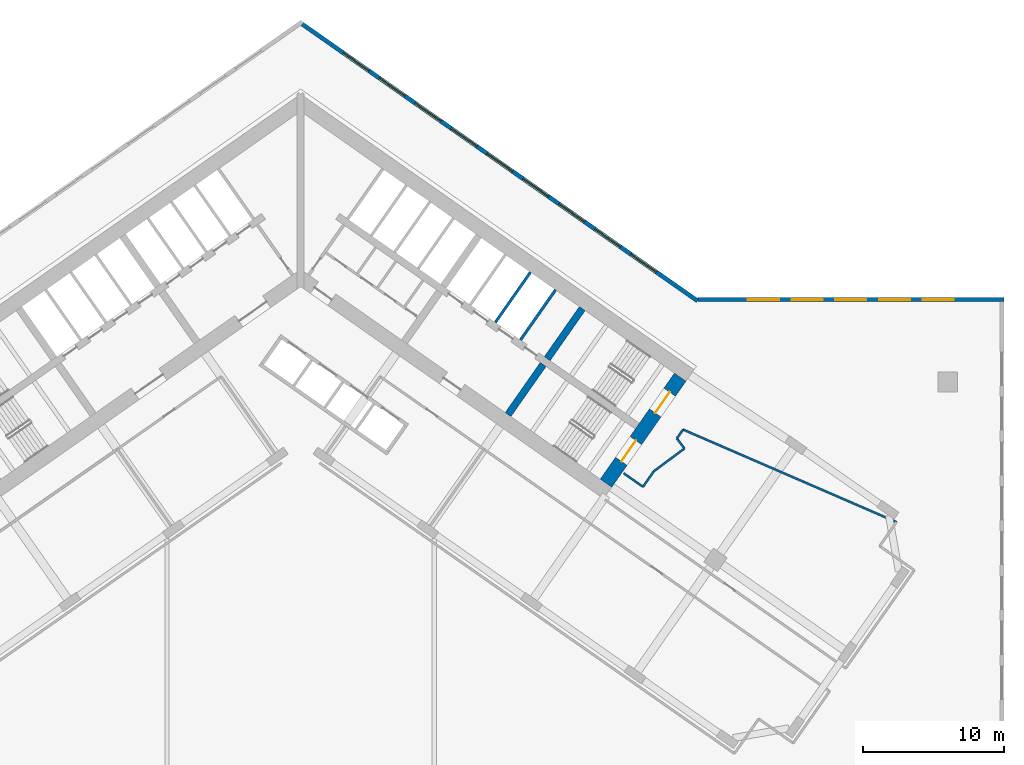
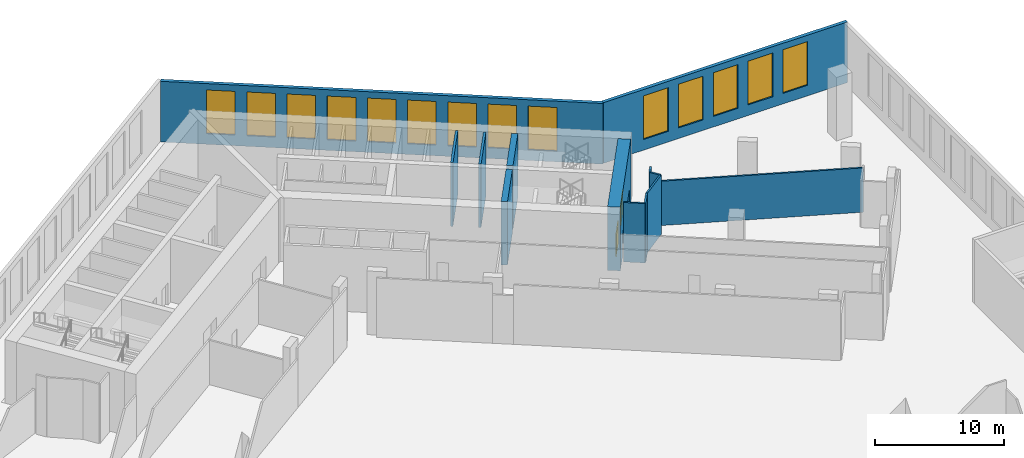
# One storey, part 12 of 25: 14 windows, 13 walls, 2 doors, 16 openings.
"""IFC4 building model written with IfcOpenShell, lengths in metres."""

from ifc_helpers import new_model, si_unit, direction, frame, frame_2d, origin, place, context, subcontext, project, spatial, polyline, rectangle, outline, extrude, material, layer, layer_set, type_object, element, fill, save


model = new_model("IFC4")

# Units and contexts
model_context = context("Model", 3, precision=1e-05, world=origin(), true_north=direction((0.0, 1.0)))
body_context = subcontext(model_context, "Body", "Model", "MODEL_VIEW")
ifc_project = project(units=[si_unit("LENGTHUNIT", "METRE"), si_unit("AREAUNIT", "SQUARE_METRE"), si_unit("VOLUMEUNIT", "CUBIC_METRE"), si_unit("PLANEANGLEUNIT", "RADIAN"), si_unit("MASSUNIT", "GRAM", prefix="KILO")], contexts=[model_context])

# Site, building, storey
site_placement = place(None, origin())
site = spatial("IfcSite", under=ifc_project, at=site_placement, CompositionType="ELEMENT")
building_placement = place(site_placement, origin())
building = spatial("IfcBuilding", under=site, at=building_placement, Name="Tel Ilan Convention Tower", CompositionType="ELEMENT")
storey_placement = place(building_placement, frame((0.0, 0.0, 26.0)))
storey = spatial("IfcBuildingStorey", under=building, at=storey_placement, Name="L03", CompositionType="ELEMENT", Elevation=26.0)

# Wall, openings, doors
ifc_material_1 = material(Name="Concrete C60/75", Category="concrete")
ifc_layer_1 = layer(ifc_material_1, 1.0)
ifc_layer_set_1 = layer_set([ifc_layer_1], Name="Core Shear Wall 1000 mm C60/75")
wall_type_1 = type_object("IfcWallType", Name="Core Shear Wall 1000 mm C60/75", PredefinedType="SHEAR", material=ifc_layer_set_1)
wall_1_placement = place(storey_placement, frame((21.70751953125, -15.19970703125, 0.0), z_axis=(0.0, 0.0, 1.0), x_axis=(0.573576324356, 0.819152122709, 0.0)))
wall_1 = element("IfcWall", 1, at=wall_1_placement, inside=storey, type_object=wall_type_1, Name="L03 core wall E-end", PredefinedType="SHEAR", context=body_context, shape_type="SweptSolid", body=[
    extrude(outline(polyline([(9.199951171875, 0.5), (0.0, 0.5), (0.0, -0.5), (9.199951171875, -0.5), (9.199951171875, 0.5)])), origin(), (0.0, 0.0, 1.0), 6.0),
])
opening_1_placement = place(wall_1_placement, frame((6.10009765625, 0.0, 0.0)))
opening_1 = element("IfcOpeningElement", 2, at=opening_1_placement, cuts=wall_1, Name="Opening SD0603", PredefinedType="OPENING", context=body_context, shape_type="SweptSolid", body=[
    extrude(rectangle(XDim=1.800048828125, YDim=2.10009765625, at=frame_2d((0.89990234375, 1.050048828125))), frame((0.0, 0.510009765625, 0.0), z_axis=(0.0, -1.0, 0.0), x_axis=(1.0, 0.0, 0.0)), (0.0, 0.0, 1.0), 1.02001953125),
])
opening_2_placement = place(wall_1_placement, frame((1.89990234375, 0.0, 0.0)))
opening_2 = element("IfcOpeningElement", 3, at=opening_2_placement, cuts=wall_1, Name="Opening SD0604", PredefinedType="OPENING", context=body_context, shape_type="SweptSolid", body=[
    extrude(rectangle(XDim=1.800048828125, YDim=2.10009765625, at=frame_2d((0.89990234375, 1.050048828125))), frame((0.0, 0.510009765625, 0.0), z_axis=(0.0, -1.0, 0.0), x_axis=(1.0, 0.0, 0.0)), (0.0, 0.0, 1.0), 1.02001953125),
])
ifc_material_2 = material(Name="Galvanised Steel Door Leaf", Category="steel")
door_type = type_object("IfcDoorType", Name="Stair Fire Door 1800 x 2100 FD60S", OperationType="NOTDEFINED", PredefinedType="DOOR", material=ifc_material_2)
door_1_placement = place(opening_1_placement, origin())
door_1 = element("IfcDoor", 4, at=door_1_placement, inside=storey, type_object=door_type, Name="Stair S3 door", OperationType="DOUBLE_DOOR_SINGLE_SWING", OverallHeight=2.10009765625, OverallWidth=1.800048828125, PredefinedType="DOOR", context=body_context, shape_type="SweptSolid", body=[
    extrude(rectangle(XDim=1.800048828125, YDim=2.10009765625, at=frame_2d((0.89990234375, 1.050048828125))), frame((0.0, 0.02490234375, 0.0), z_axis=(0.0, -1.0, 0.0), x_axis=(1.0, 0.0, 0.0)), (0.0, 0.0, 1.0), 0.050048828125),
])
fill(opening_1, door_1)
door_2_placement = place(opening_2_placement, origin())
door_2 = element("IfcDoor", 5, at=door_2_placement, inside=storey, type_object=door_type, Name="Stair S4 door", OperationType="DOUBLE_DOOR_SINGLE_SWING", OverallHeight=2.10009765625, OverallWidth=1.800048828125, PredefinedType="DOOR", context=body_context, shape_type="SweptSolid", body=[
    extrude(rectangle(XDim=1.800048828125, YDim=2.10009765625, at=frame_2d((0.89990234375, 1.050048828125))), frame((0.0, 0.02490234375, 0.0), z_axis=(0.0, -1.0, 0.0), x_axis=(1.0, 0.0, 0.0)), (0.0, 0.0, 1.0), 0.050048828125),
])
fill(opening_2, door_2)

# Walls
ifc_material_3 = material(Name="Concrete C60/75", Category="concrete")
ifc_layer_2 = layer(ifc_material_3, 0.5)
ifc_layer_set_2 = layer_set([ifc_layer_2], Name="Core Shear Wall 500 mm C60/75")
wall_type_2 = type_object("IfcWallType", Name="Core Shear Wall 500 mm C60/75", PredefinedType="SHEAR", material=ifc_layer_set_2)
wall_2_placement = place(storey_placement, frame((14.74462890625, -10.324462890625, 0.0), z_axis=(0.0, 0.0, 1.0), x_axis=(0.57356780395, 0.819158088694, 0.0)))
element("IfcWall", 6, at=wall_2_placement, inside=storey, type_object=wall_type_2, Name="L03 core wall E-cross2-1", PredefinedType="SHEAR", context=body_context, shape_type="SweptSolid", body=[
    extrude(outline(polyline([(0.0, 0.25), (0.0, -0.25), (4.35009765625, -0.250244140625), (4.35009765625, 0.25), (0.0, 0.25)])), origin(), (0.0, 0.0, 1.0), 6.0),
])
wall_3_placement = place(storey_placement, frame((17.526611328125, -6.3515625, 0.0), z_axis=(0.0, 0.0, 1.0), x_axis=(0.573530143085, 0.819184457233, 0.0)))
element("IfcWall", 7, at=wall_3_placement, inside=storey, type_object=wall_type_2, Name="L03 core wall E-cross2-2", PredefinedType="SHEAR", context=body_context, shape_type="SweptSolid", body=[
    extrude(outline(polyline([(4.35009765625, -0.250244140625), (4.35009765625, 0.249755859375), (0.0, 0.25), (0.0, -0.25), (4.35009765625, -0.250244140625)])), origin(), (0.0, 0.0, 1.0), 6.0),
])
ifc_material_4 = material(Name="Plasterboard on Steel Studs", Category="steel")
ifc_layer_3 = layer(ifc_material_4, 0.14990234375)
ifc_layer_set_3 = layer_set([ifc_layer_3], Name="Fire-rated Partition 150 EI 60")
wall_type_3 = type_object("IfcWallType", Name="Fire-rated Partition 150 EI 60", PredefinedType="PARTITIONING", material=ifc_layer_set_3)
wall_4_placement = place(storey_placement, frame((26.74609375, -12.013671875, 0.0), z_axis=(0.0, 0.0, 1.0), x_axis=(0.573761975376, 0.819022097146, 0.0)))
element("IfcWall", 8, at=wall_4_placement, inside=storey, type_object=wall_type_3, Name="Partition 011", PredefinedType="PARTITIONING", context=body_context, shape_type="SweptSolid", body=[
    extrude(rectangle(XDim=0.765380859375, YDim=0.14990234375, at=frame_2d((0.3828125, 0.0))), origin(), (0.0, 0.0, 1.0), 5.60009765625),
])
wall_5_placement = place(storey_placement, frame((27.185302734375, -11.38671875, 0.0), z_axis=(0.0, 0.0, 1.0), x_axis=(0.917531384635, -0.397663372979, 0.0)))
element("IfcWall", 9, at=wall_5_placement, inside=storey, type_object=wall_type_3, Name="Partition 012", PredefinedType="PARTITIONING", context=body_context, shape_type="SweptSolid", body=[
    extrude(rectangle(XDim=16.535888671875, YDim=0.14990234375, at=frame_2d((8.26806640625, 0.0))), origin(), (0.0, 0.0, 1.0), 4.179931640625),
])
wall_6_placement = place(storey_placement, frame((22.961181640625, -14.490478515625, 0.0), z_axis=(0.0, 0.0, 1.0), x_axis=(0.819109000826, -0.573637903879, 0.0)))
element("IfcWall", 10, at=wall_6_placement, inside=storey, type_object=wall_type_3, Name="Partition 013", PredefinedType="PARTITIONING", context=body_context, shape_type="SweptSolid", body=[
    extrude(rectangle(XDim=1.679931640625, YDim=0.14990234375, at=frame_2d((0.83984375, 0.0))), origin(), (0.0, 0.0, 1.0), 5.60009765625),
])
wall_7_placement = place(storey_placement, frame((24.337158203125, -15.4541015625, 0.0), z_axis=(0.0, 0.0, 1.0), x_axis=(0.573571252353, 0.819155674139, 0.0)))
element("IfcWall", 11, at=wall_7_placement, inside=storey, type_object=wall_type_3, Name="Partition 014", PredefinedType="PARTITIONING", context=body_context, shape_type="SweptSolid", body=[
    extrude(rectangle(XDim=1.35400390625, YDim=0.14990234375, at=frame_2d((0.677001953125, 0.0))), origin(), (0.0, 0.0, 1.0), 5.60009765625),
])
wall_8_placement = place(storey_placement, frame((25.11376953125, -14.344970703125, 0.0), z_axis=(0.0, 0.0, 1.0), x_axis=(0.803211070557, 0.595694532571, 0.0)))
element("IfcWall", 12, at=wall_8_placement, inside=storey, type_object=wall_type_3, Name="Partition 015", PredefinedType="PARTITIONING", context=body_context, shape_type="SweptSolid", body=[
    extrude(rectangle(XDim=2.699951171875, YDim=0.14990234375, at=frame_2d((1.35009765625, 0.0))), origin(), (0.0, 0.0, 1.0), 5.60009765625),
])
wall_9_placement = place(storey_placement, frame((27.282470703125, -12.736572265625, 0.0), z_axis=(0.0, 0.0, 1.0), x_axis=(-0.595869495235, 0.803081281471, 0.0)))
element("IfcWall", 13, at=wall_9_placement, inside=storey, type_object=wall_type_3, Name="Partition 016", PredefinedType="PARTITIONING", context=body_context, shape_type="SweptSolid", body=[
    extrude(rectangle(XDim=0.900146484375, YDim=0.14990234375, at=frame_2d((0.4501953125, 0.0))), origin(), (0.0, 0.0, 1.0), 5.60009765625),
])
ifc_material_5 = material(Name="Concrete C30/37", Category="concrete")
ifc_layer_4 = layer(ifc_material_5, 0.199951171875)
ifc_layer_set_4 = layer_set([ifc_layer_4], Name="Lift Shaft Wall 200 mm C30/37")
wall_type_4 = type_object("IfcWallType", Name="Lift Shaft Wall 200 mm C30/37", PredefinedType="SOLIDWALL", material=ifc_layer_set_4)
wall_10_placement = place(storey_placement, frame((13.84033203125, -3.7705078125, 0.0), z_axis=(0.0, 0.0, 1.0), x_axis=(0.57356780395, 0.819158088694, 0.0)))
element("IfcWall", 14, at=wall_10_placement, inside=storey, type_object=wall_type_4, Name="L03 core wall bank-E2-p1", PredefinedType="SOLIDWALL", context=body_context, shape_type="SweptSolid", body=[
    extrude(rectangle(XDim=4.35009765625, YDim=0.199951171875, at=frame_2d((2.175048828125, 0.0))), origin(), (0.0, 0.0, 1.0), 6.0),
])
wall_11_placement = place(storey_placement, frame((15.6220703125, -5.017822265625, 0.0), z_axis=(0.0, 0.0, 1.0), x_axis=(0.573594173421, 0.819139624372, 0.0)))
element("IfcWall", 15, at=wall_11_placement, inside=storey, type_object=wall_type_4, Name="L03 core wall bank-E2-p2", PredefinedType="SOLIDWALL", context=body_context, shape_type="SweptSolid", body=[
    extrude(rectangle(XDim=4.349853515625, YDim=0.199951171875, at=frame_2d((2.1748046875, 0.0))), origin(), (0.0, 0.0, 1.0), 6.0),
])

# Wall, openings, windows
ifc_material_6 = material(Name="Bronze aluminium cladding panel on insulated steel frame", Category="steel")
ifc_layer_5 = layer(ifc_material_6, 0.300048828125)
ifc_layer_set_5 = layer_set([ifc_layer_5], Name="PODIUM CLADDING WALL 300")
wall_type_5 = type_object("IfcWallType", Name="PODIUM CLADDING WALL 300", PredefinedType="SOLIDWALL", material=ifc_layer_set_5)
wall_12_placement = place(storey_placement, frame((0.122802734375, 17.43212890625, 0.0), z_axis=(0.0, 0.0, 1.0), x_axis=(0.819151970339, -0.573576541963, 0.0)))
wall_12 = element("IfcWall", 16, at=wall_12_placement, inside=storey, type_object=wall_type_5, Name="Podium cladding wall", PredefinedType="SOLIDWALL", context=body_context, shape_type="SweptSolid", body=[
    extrude(rectangle(XDim=34.29052734375, YDim=0.300048828125, at=frame_2d((17.145263671875, 0.0))), origin(), (0.0, 0.0, 1.0), 5.719970703125),
])
opening_3_placement = place(wall_12_placement, frame((3.5673828125, 0.0, 1.0)))
opening_3 = element("IfcOpeningElement", 17, at=opening_3_placement, cuts=wall_12, Name="Opening W-06.040", PredefinedType="OPENING", context=body_context, shape_type="SweptSolid", body=[
    extrude(rectangle(XDim=2.21728515625, YDim=4.1201171875, at=frame_2d((1.108642578125, 2.06005859375))), frame((0.0, 0.159912109375, 0.0), z_axis=(0.0, -1.0, 0.0), x_axis=(1.0, 0.0, 0.0)), (0.0, 0.0, 1.0), 0.320068359375),
])
opening_4_placement = place(wall_12_placement, frame((6.6845703125, 0.0, 1.0)))
opening_4 = element("IfcOpeningElement", 18, at=opening_4_placement, cuts=wall_12, Name="Opening W-06.041", PredefinedType="OPENING", context=body_context, shape_type="SweptSolid", body=[
    extrude(rectangle(XDim=2.21728515625, YDim=4.1201171875, at=frame_2d((1.108642578125, 2.06005859375))), frame((0.0, 0.159912109375, 0.0), z_axis=(0.0, -1.0, 0.0), x_axis=(1.0, 0.0, 0.0)), (0.0, 0.0, 1.0), 0.320068359375),
])
opening_5_placement = place(wall_12_placement, frame((9.802001953125, 0.0, 1.0)))
opening_5 = element("IfcOpeningElement", 19, at=opening_5_placement, cuts=wall_12, Name="Opening W-06.042", PredefinedType="OPENING", context=body_context, shape_type="SweptSolid", body=[
    extrude(rectangle(XDim=2.21728515625, YDim=4.1201171875, at=frame_2d((1.108642578125, 2.06005859375))), frame((0.0, 0.159912109375, 0.0), z_axis=(0.0, -1.0, 0.0), x_axis=(1.0, 0.0, 0.0)), (0.0, 0.0, 1.0), 0.320068359375),
])
opening_6_placement = place(wall_12_placement, frame((12.919189453125, 0.0, 1.0)))
opening_6 = element("IfcOpeningElement", 20, at=opening_6_placement, cuts=wall_12, Name="Opening W-06.043", PredefinedType="OPENING", context=body_context, shape_type="SweptSolid", body=[
    extrude(rectangle(XDim=2.21728515625, YDim=4.1201171875, at=frame_2d((1.108642578125, 2.06005859375))), frame((0.0, 0.159912109375, 0.0), z_axis=(0.0, -1.0, 0.0), x_axis=(1.0, 0.0, 0.0)), (0.0, 0.0, 1.0), 0.320068359375),
])
opening_7_placement = place(wall_12_placement, frame((16.03662109375, 0.0, 1.0)))
opening_7 = element("IfcOpeningElement", 21, at=opening_7_placement, cuts=wall_12, Name="Opening W-06.044", PredefinedType="OPENING", context=body_context, shape_type="SweptSolid", body=[
    extrude(rectangle(XDim=2.21728515625, YDim=4.1201171875, at=frame_2d((1.108642578125, 2.06005859375))), frame((0.0, 0.159912109375, 0.0), z_axis=(0.0, -1.0, 0.0), x_axis=(1.0, 0.0, 0.0)), (0.0, 0.0, 1.0), 0.320068359375),
])
opening_8_placement = place(wall_12_placement, frame((19.15380859375, 0.0, 1.0)))
opening_8 = element("IfcOpeningElement", 22, at=opening_8_placement, cuts=wall_12, Name="Opening W-06.045", PredefinedType="OPENING", context=body_context, shape_type="SweptSolid", body=[
    extrude(rectangle(XDim=2.21728515625, YDim=4.1201171875, at=frame_2d((1.108642578125, 2.06005859375))), frame((0.0, 0.159912109375, 0.0), z_axis=(0.0, -1.0, 0.0), x_axis=(1.0, 0.0, 0.0)), (0.0, 0.0, 1.0), 0.320068359375),
])
opening_9_placement = place(wall_12_placement, frame((22.27099609375, 0.0, 1.0)))
opening_9 = element("IfcOpeningElement", 23, at=opening_9_placement, cuts=wall_12, Name="Opening W-06.046", PredefinedType="OPENING", context=body_context, shape_type="SweptSolid", body=[
    extrude(rectangle(XDim=2.21728515625, YDim=4.1201171875, at=frame_2d((1.108642578125, 2.06005859375))), frame((0.0, 0.159912109375, 0.0), z_axis=(0.0, -1.0, 0.0), x_axis=(1.0, 0.0, 0.0)), (0.0, 0.0, 1.0), 0.320068359375),
])
opening_10_placement = place(wall_12_placement, frame((25.388427734375, 0.0, 1.0)))
opening_10 = element("IfcOpeningElement", 24, at=opening_10_placement, cuts=wall_12, Name="Opening W-06.047", PredefinedType="OPENING", context=body_context, shape_type="SweptSolid", body=[
    extrude(rectangle(XDim=2.21728515625, YDim=4.1201171875, at=frame_2d((1.108642578125, 2.06005859375))), frame((0.0, 0.159912109375, 0.0), z_axis=(0.0, -1.0, 0.0), x_axis=(1.0, 0.0, 0.0)), (0.0, 0.0, 1.0), 0.320068359375),
])
opening_11_placement = place(wall_12_placement, frame((28.505615234375, 0.0, 1.0)))
opening_11 = element("IfcOpeningElement", 25, at=opening_11_placement, cuts=wall_12, Name="Opening W-06.048", PredefinedType="OPENING", context=body_context, shape_type="SweptSolid", body=[
    extrude(rectangle(XDim=2.21728515625, YDim=4.1201171875, at=frame_2d((1.108642578125, 2.06005859375))), frame((0.0, 0.159912109375, 0.0), z_axis=(0.0, -1.0, 0.0), x_axis=(1.0, 0.0, 0.0)), (0.0, 0.0, 1.0), 0.320068359375),
])
ifc_material_7 = material(Name="Aluminium framed glazing, bronze anodised, tinted glass", Category="aluminium")
window_type_1 = type_object("IfcWindowType", Name="PODIUM WINDOW 2217x4120", PartitioningType="SINGLE_PANEL", PredefinedType="WINDOW", material=ifc_material_7)
window_1_placement = place(opening_3_placement, origin())
window_1 = element("IfcWindow", 26, at=window_1_placement, inside=storey, type_object=window_type_1, Name="Podium window", OverallHeight=4.1201171875, OverallWidth=2.21728515625, PartitioningType="SINGLE_PANEL", PredefinedType="WINDOW", context=body_context, shape_type="SweptSolid", body=[
    extrude(rectangle(XDim=2.21728515625, YDim=4.1201171875, at=frame_2d((1.108642578125, 2.06005859375))), frame((0.0, 0.030029296875, 0.0), z_axis=(0.0, -1.0, 0.0), x_axis=(1.0, 0.0, 0.0)), (0.0, 0.0, 1.0), 0.06005859375),
])
fill(opening_3, window_1)
window_2_placement = place(opening_4_placement, origin())
window_2 = element("IfcWindow", 27, at=window_2_placement, inside=storey, type_object=window_type_1, Name="Podium window", OverallHeight=4.1201171875, OverallWidth=2.21728515625, PartitioningType="SINGLE_PANEL", PredefinedType="WINDOW", context=body_context, shape_type="SweptSolid", body=[
    extrude(rectangle(XDim=2.21728515625, YDim=4.1201171875, at=frame_2d((1.108642578125, 2.06005859375))), frame((0.0, 0.030029296875, 0.0), z_axis=(0.0, -1.0, 0.0), x_axis=(1.0, 0.0, 0.0)), (0.0, 0.0, 1.0), 0.06005859375),
])
fill(opening_4, window_2)
window_3_placement = place(opening_5_placement, origin())
window_3 = element("IfcWindow", 28, at=window_3_placement, inside=storey, type_object=window_type_1, Name="Podium window", OverallHeight=4.1201171875, OverallWidth=2.21728515625, PartitioningType="SINGLE_PANEL", PredefinedType="WINDOW", context=body_context, shape_type="SweptSolid", body=[
    extrude(rectangle(XDim=2.21728515625, YDim=4.1201171875, at=frame_2d((1.108642578125, 2.06005859375))), frame((0.0, 0.030029296875, 0.0), z_axis=(0.0, -1.0, 0.0), x_axis=(1.0, 0.0, 0.0)), (0.0, 0.0, 1.0), 0.06005859375),
])
fill(opening_5, window_3)
window_4_placement = place(opening_6_placement, origin())
window_4 = element("IfcWindow", 29, at=window_4_placement, inside=storey, type_object=window_type_1, Name="Podium window", OverallHeight=4.1201171875, OverallWidth=2.21728515625, PartitioningType="SINGLE_PANEL", PredefinedType="WINDOW", context=body_context, shape_type="SweptSolid", body=[
    extrude(rectangle(XDim=2.21728515625, YDim=4.1201171875, at=frame_2d((1.108642578125, 2.06005859375))), frame((0.0, 0.030029296875, 0.0), z_axis=(0.0, -1.0, 0.0), x_axis=(1.0, 0.0, 0.0)), (0.0, 0.0, 1.0), 0.06005859375),
])
fill(opening_6, window_4)
window_5_placement = place(opening_7_placement, origin())
window_5 = element("IfcWindow", 30, at=window_5_placement, inside=storey, type_object=window_type_1, Name="Podium window", OverallHeight=4.1201171875, OverallWidth=2.21728515625, PartitioningType="SINGLE_PANEL", PredefinedType="WINDOW", context=body_context, shape_type="SweptSolid", body=[
    extrude(rectangle(XDim=2.21728515625, YDim=4.1201171875, at=frame_2d((1.108642578125, 2.06005859375))), frame((0.0, 0.030029296875, 0.0), z_axis=(0.0, -1.0, 0.0), x_axis=(1.0, 0.0, 0.0)), (0.0, 0.0, 1.0), 0.06005859375),
])
fill(opening_7, window_5)
window_6_placement = place(opening_8_placement, origin())
window_6 = element("IfcWindow", 31, at=window_6_placement, inside=storey, type_object=window_type_1, Name="Podium window", OverallHeight=4.1201171875, OverallWidth=2.21728515625, PartitioningType="SINGLE_PANEL", PredefinedType="WINDOW", context=body_context, shape_type="SweptSolid", body=[
    extrude(rectangle(XDim=2.21728515625, YDim=4.1201171875, at=frame_2d((1.108642578125, 2.06005859375))), frame((0.0, 0.030029296875, 0.0), z_axis=(0.0, -1.0, 0.0), x_axis=(1.0, 0.0, 0.0)), (0.0, 0.0, 1.0), 0.06005859375),
])
fill(opening_8, window_6)
window_7_placement = place(opening_9_placement, origin())
window_7 = element("IfcWindow", 32, at=window_7_placement, inside=storey, type_object=window_type_1, Name="Podium window", OverallHeight=4.1201171875, OverallWidth=2.21728515625, PartitioningType="SINGLE_PANEL", PredefinedType="WINDOW", context=body_context, shape_type="SweptSolid", body=[
    extrude(rectangle(XDim=2.21728515625, YDim=4.1201171875, at=frame_2d((1.108642578125, 2.06005859375))), frame((0.0, 0.030029296875, 0.0), z_axis=(0.0, -1.0, 0.0), x_axis=(1.0, 0.0, 0.0)), (0.0, 0.0, 1.0), 0.06005859375),
])
fill(opening_9, window_7)
window_8_placement = place(opening_10_placement, origin())
window_8 = element("IfcWindow", 33, at=window_8_placement, inside=storey, type_object=window_type_1, Name="Podium window", OverallHeight=4.1201171875, OverallWidth=2.21728515625, PartitioningType="SINGLE_PANEL", PredefinedType="WINDOW", context=body_context, shape_type="SweptSolid", body=[
    extrude(rectangle(XDim=2.21728515625, YDim=4.1201171875, at=frame_2d((1.108642578125, 2.06005859375))), frame((0.0, 0.030029296875, 0.0), z_axis=(0.0, -1.0, 0.0), x_axis=(1.0, 0.0, 0.0)), (0.0, 0.0, 1.0), 0.06005859375),
])
fill(opening_10, window_8)
window_9_placement = place(opening_11_placement, origin())
window_9 = element("IfcWindow", 34, at=window_9_placement, inside=storey, type_object=window_type_1, Name="Podium window", OverallHeight=4.1201171875, OverallWidth=2.21728515625, PartitioningType="SINGLE_PANEL", PredefinedType="WINDOW", context=body_context, shape_type="SweptSolid", body=[
    extrude(rectangle(XDim=2.21728515625, YDim=4.1201171875, at=frame_2d((1.108642578125, 2.06005859375))), frame((0.0, 0.030029296875, 0.0), z_axis=(0.0, -1.0, 0.0), x_axis=(1.0, 0.0, 0.0)), (0.0, 0.0, 1.0), 0.06005859375),
])
fill(opening_11, window_9)

wall_13_placement = place(storey_placement, frame((28.239013671875, -2.14990234375, 0.0), z_axis=(0.0, 0.0, 1.0), x_axis=(1.0, 0.0, 0.0)))
wall_13 = element("IfcWall", 35, at=wall_13_placement, inside=storey, type_object=wall_type_5, Name="Podium cladding wall", PredefinedType="SOLIDWALL", context=body_context, shape_type="SweptSolid", body=[
    extrude(rectangle(XDim=21.760986328125, YDim=0.300048828125, at=frame_2d((10.88037109375, 0.0))), origin(), (0.0, 0.0, 1.0), 5.719970703125),
])
opening_12_placement = place(wall_13_placement, frame((3.558837890625, 0.0, 1.0)))
opening_12 = element("IfcOpeningElement", 36, at=opening_12_placement, cuts=wall_13, Name="Opening W-06.049", PredefinedType="OPENING", context=body_context, shape_type="SweptSolid", body=[
    extrude(rectangle(XDim=2.208740234375, YDim=4.1201171875, at=frame_2d((1.1044921875, 2.06005859375))), frame((0.0, 0.159912109375, 0.0), z_axis=(0.0, -1.0, 0.0), x_axis=(1.0, 0.0, 0.0)), (0.0, 0.0, 1.0), 0.320068359375),
])
opening_13_placement = place(wall_13_placement, frame((6.66748046875, 0.0, 1.0)))
opening_13 = element("IfcOpeningElement", 37, at=opening_13_placement, cuts=wall_13, Name="Opening W-06.050", PredefinedType="OPENING", context=body_context, shape_type="SweptSolid", body=[
    extrude(rectangle(XDim=2.208740234375, YDim=4.1201171875, at=frame_2d((1.1044921875, 2.06005859375))), frame((0.0, 0.159912109375, 0.0), z_axis=(0.0, -1.0, 0.0), x_axis=(1.0, 0.0, 0.0)), (0.0, 0.0, 1.0), 0.320068359375),
])
opening_14_placement = place(wall_13_placement, frame((9.776123046875, 0.0, 1.0)))
opening_14 = element("IfcOpeningElement", 38, at=opening_14_placement, cuts=wall_13, Name="Opening W-06.051", PredefinedType="OPENING", context=body_context, shape_type="SweptSolid", body=[
    extrude(rectangle(XDim=2.208740234375, YDim=4.1201171875, at=frame_2d((1.1044921875, 2.06005859375))), frame((0.0, 0.159912109375, 0.0), z_axis=(0.0, -1.0, 0.0), x_axis=(1.0, 0.0, 0.0)), (0.0, 0.0, 1.0), 0.320068359375),
])
opening_15_placement = place(wall_13_placement, frame((12.884765625, 0.0, 1.0)))
opening_15 = element("IfcOpeningElement", 39, at=opening_15_placement, cuts=wall_13, Name="Opening W-06.052", PredefinedType="OPENING", context=body_context, shape_type="SweptSolid", body=[
    extrude(rectangle(XDim=2.208740234375, YDim=4.1201171875, at=frame_2d((1.1044921875, 2.06005859375))), frame((0.0, 0.159912109375, 0.0), z_axis=(0.0, -1.0, 0.0), x_axis=(1.0, 0.0, 0.0)), (0.0, 0.0, 1.0), 0.320068359375),
])
opening_16_placement = place(wall_13_placement, frame((15.99365234375, 0.0, 1.0)))
opening_16 = element("IfcOpeningElement", 40, at=opening_16_placement, cuts=wall_13, Name="Opening W-06.053", PredefinedType="OPENING", context=body_context, shape_type="SweptSolid", body=[
    extrude(rectangle(XDim=2.208740234375, YDim=4.1201171875, at=frame_2d((1.1044921875, 2.06005859375))), frame((0.0, 0.159912109375, 0.0), z_axis=(0.0, -1.0, 0.0), x_axis=(1.0, 0.0, 0.0)), (0.0, 0.0, 1.0), 0.320068359375),
])
ifc_material_8 = material(Name="Aluminium framed glazing, bronze anodised, tinted glass", Category="aluminium")
window_type_2 = type_object("IfcWindowType", Name="PODIUM WINDOW 2209x4120", PartitioningType="SINGLE_PANEL", PredefinedType="WINDOW", material=ifc_material_8)
window_10_placement = place(opening_12_placement, origin())
window_10 = element("IfcWindow", 41, at=window_10_placement, inside=storey, type_object=window_type_2, Name="Podium window", OverallHeight=4.1201171875, OverallWidth=2.208740234375, PartitioningType="SINGLE_PANEL", PredefinedType="WINDOW", context=body_context, shape_type="SweptSolid", body=[
    extrude(rectangle(XDim=2.208740234375, YDim=4.1201171875, at=frame_2d((1.1044921875, 2.06005859375))), frame((0.0, 0.030029296875, 0.0), z_axis=(0.0, -1.0, 0.0), x_axis=(1.0, 0.0, 0.0)), (0.0, 0.0, 1.0), 0.06005859375),
])
fill(opening_12, window_10)
window_11_placement = place(opening_13_placement, origin())
window_11 = element("IfcWindow", 42, at=window_11_placement, inside=storey, type_object=window_type_2, Name="Podium window", OverallHeight=4.1201171875, OverallWidth=2.208740234375, PartitioningType="SINGLE_PANEL", PredefinedType="WINDOW", context=body_context, shape_type="SweptSolid", body=[
    extrude(rectangle(XDim=2.208740234375, YDim=4.1201171875, at=frame_2d((1.1044921875, 2.06005859375))), frame((0.0, 0.030029296875, 0.0), z_axis=(0.0, -1.0, 0.0), x_axis=(1.0, 0.0, 0.0)), (0.0, 0.0, 1.0), 0.06005859375),
])
fill(opening_13, window_11)
window_12_placement = place(opening_14_placement, origin())
window_12 = element("IfcWindow", 43, at=window_12_placement, inside=storey, type_object=window_type_2, Name="Podium window", OverallHeight=4.1201171875, OverallWidth=2.208740234375, PartitioningType="SINGLE_PANEL", PredefinedType="WINDOW", context=body_context, shape_type="SweptSolid", body=[
    extrude(rectangle(XDim=2.208740234375, YDim=4.1201171875, at=frame_2d((1.1044921875, 2.06005859375))), frame((0.0, 0.030029296875, 0.0), z_axis=(0.0, -1.0, 0.0), x_axis=(1.0, 0.0, 0.0)), (0.0, 0.0, 1.0), 0.06005859375),
])
fill(opening_14, window_12)
window_13_placement = place(opening_15_placement, origin())
window_13 = element("IfcWindow", 44, at=window_13_placement, inside=storey, type_object=window_type_2, Name="Podium window", OverallHeight=4.1201171875, OverallWidth=2.208740234375, PartitioningType="SINGLE_PANEL", PredefinedType="WINDOW", context=body_context, shape_type="SweptSolid", body=[
    extrude(rectangle(XDim=2.208740234375, YDim=4.1201171875, at=frame_2d((1.1044921875, 2.06005859375))), frame((0.0, 0.030029296875, 0.0), z_axis=(0.0, -1.0, 0.0), x_axis=(1.0, 0.0, 0.0)), (0.0, 0.0, 1.0), 0.06005859375),
])
fill(opening_15, window_13)
window_14_placement = place(opening_16_placement, origin())
window_14 = element("IfcWindow", 45, at=window_14_placement, inside=storey, type_object=window_type_2, Name="Podium window", OverallHeight=4.1201171875, OverallWidth=2.208740234375, PartitioningType="SINGLE_PANEL", PredefinedType="WINDOW", context=body_context, shape_type="SweptSolid", body=[
    extrude(rectangle(XDim=2.208740234375, YDim=4.1201171875, at=frame_2d((1.1044921875, 2.06005859375))), frame((0.0, 0.030029296875, 0.0), z_axis=(0.0, -1.0, 0.0), x_axis=(1.0, 0.0, 0.0)), (0.0, 0.0, 1.0), 0.06005859375),
])
fill(opening_16, window_14)

save(model, "model.ifc")
